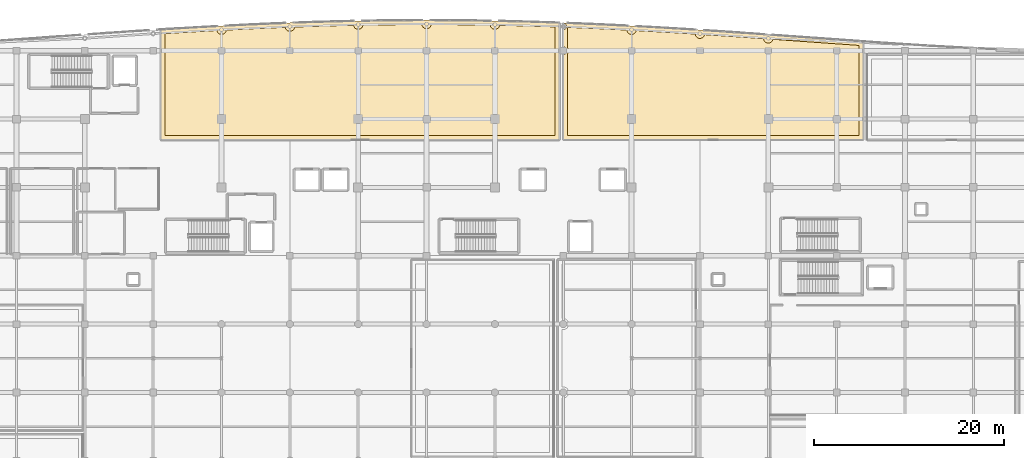
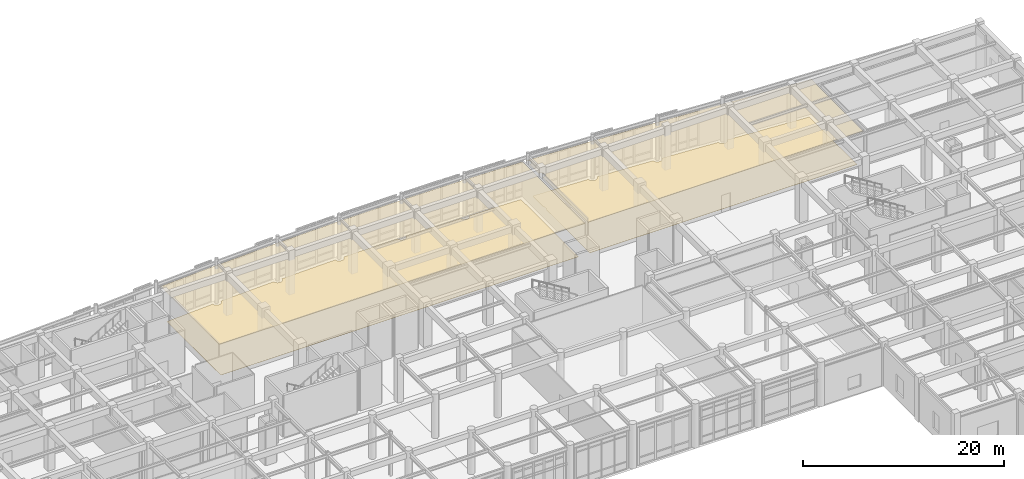
# One storey, part 98 of 102: 4 coverings.
"""IFC4 building model written with IfcOpenShell, lengths in metres."""

import ifcopenshell
import ifcopenshell.guid

model = None  # the IFC model being written
_history = None  # IfcOwnerHistory: only IFC2X3 demands one
_inside = {}  # id of a spatial element -> (the spatial element, [elements in it])
_under = {}  # id of a project, library or spatial element -> (it, [spatial elements below it])
_declared = {}  # id of a project -> (the project, [libraries it declares])
_typed = {}  # id of a type object -> (the type object, [elements of that type])
_made_of = {}  # id of a material, layer set ... -> (it, [elements and type objects made of it])


def new_model(schema):
    """Start an empty IFC model of exactly this schema.

    Asked for "IFC4X3", IfcOpenShell would pick the latest addendum, in which some entities
    have other attributes; the version numbers below select the first issue.
    IFC2X3 requires an IfcOwnerHistory on every rooted entity: one is made here for all.
    """
    global model, _history
    if schema == "IFC4X3":
        model = ifcopenshell.file(schema_version=(4, 3, 0, 0))
    else:
        model = ifcopenshell.file(schema=schema)
    _inside.clear()
    _under.clear()
    _declared.clear()
    _typed.clear()
    _made_of.clear()
    _history = None
    if model.schema == "IFC2X3":
        org = make("IfcOrganization", Name="unknown")
        user = make(
            "IfcPersonAndOrganization",
            ThePerson=make("IfcPerson", FamilyName="unknown"),
            TheOrganization=org,
        )
        app = make(
            "IfcApplication",
            ApplicationDeveloper=org,
            Version="unknown",
            ApplicationFullName="unknown",
            ApplicationIdentifier="unknown",
        )
        _history = make(
            "IfcOwnerHistory",
            OwningUser=user,
            OwningApplication=app,
            ChangeAction="ADDED",
            CreationDate=0,
        )
    return model


def make(cls, **values):
    """One entity of the class cls with the attributes given. An attribute that is None is left unset."""
    return model.create_entity(
        cls, **{name: value for name, value in values.items() if value is not None}
    )


def rooted(cls, **values):
    """An entity with a GlobalId (a new one), such as an element, a storey or a relation."""
    return make(cls, GlobalId=ifcopenshell.guid.new(), OwnerHistory=_history, **values)


def si_unit(unit_type, name, prefix=None):
    """IfcSIUnit, for example si_unit("LENGTHUNIT", "METRE", prefix="MILLI")."""
    return make("IfcSIUnit", UnitType=unit_type, Prefix=prefix, Name=name)


def assignment(units):
    """IfcUnitAssignment: the units of a project."""
    return None if units is None else make("IfcUnitAssignment", Units=units)


def point(xyz):
    """IfcCartesianPoint."""
    return None if xyz is None else make("IfcCartesianPoint", Coordinates=xyz)


def direction(xyz):
    """IfcDirection."""
    return None if xyz is None else make("IfcDirection", DirectionRatios=xyz)


def frame(location, z_axis=None, x_axis=None):
    """IfcAxis2Placement3D, a coordinate frame: its origin and axes. An axis left out is left unset."""
    return make(
        "IfcAxis2Placement3D",
        Location=point(location),
        Axis=direction(z_axis),
        RefDirection=direction(x_axis),
    )


def origin():
    """The frame at (0, 0, 0) with its axes left unset."""
    return frame((0.0, 0.0, 0.0))


def place(relative_to, where):
    """IfcLocalPlacement: puts the frame where relative to a parent placement (None: the world)."""
    return make(
        "IfcLocalPlacement", PlacementRelTo=relative_to, RelativePlacement=where
    )


def context(
    kind, dimensions, precision=None, world=None, true_north=None, identifier=None
):
    """IfcGeometricRepresentationContext, for example the 3D "Model" context."""
    return make(
        "IfcGeometricRepresentationContext",
        ContextIdentifier=identifier,
        ContextType=kind,
        CoordinateSpaceDimension=dimensions,
        Precision=precision,
        WorldCoordinateSystem=world,
        TrueNorth=true_north,
    )


def subcontext(parent, identifier, kind, view, scale=None):
    """IfcGeometricRepresentationSubContext, for example "Body" below "Model"."""
    return make(
        "IfcGeometricRepresentationSubContext",
        ContextIdentifier=identifier,
        ContextType=kind,
        ParentContext=parent,
        TargetScale=scale,
        TargetView=view,
    )


def project(units=None, contexts=None):
    """IfcProject with its units and contexts."""
    return rooted(
        "IfcProject",
        Name="project",
        RepresentationContexts=contexts,
        UnitsInContext=assignment(units),
    )


def spatial(cls, under=None, at=None, **own):
    """A site, building, storey or space (cls), placed at a placement, below another one or the project."""
    s = rooted(cls, ObjectPlacement=at, **own)
    if under is not None:
        _under.setdefault(under.id(), (under, []))[1].append(s)
    return s


def polyline(points):
    """IfcPolyline through the points."""
    return make("IfcPolyline", Points=[point(p) for p in points])


def outline(outer, holes=None, kind="AREA"):
    """IfcArbitraryClosedProfileDef: a profile drawn as a closed curve; with holes, ...WithVoids."""
    if holes is None:
        return make("IfcArbitraryClosedProfileDef", ProfileType=kind, OuterCurve=outer)
    return make(
        "IfcArbitraryProfileDefWithVoids",
        ProfileType=kind,
        OuterCurve=outer,
        InnerCurves=holes,
    )


def extrude(swept, where, along, depth):
    """IfcExtrudedAreaSolid: the profile swept, set in the frame where, extruded along a direction by depth."""
    return make(
        "IfcExtrudedAreaSolid",
        SweptArea=swept,
        Position=where,
        ExtrudedDirection=direction(along),
        Depth=depth,
    )


def shape(context_of_items, identifier, shape_type, items):
    """IfcShapeRepresentation: the items that make up one representation, for example the "Body"."""
    return make(
        "IfcShapeRepresentation",
        ContextOfItems=context_of_items,
        RepresentationIdentifier=identifier,
        RepresentationType=shape_type,
        Items=items,
    )


def material(Name=None, Category=None):
    """IfcMaterial."""
    return make("IfcMaterial", Name=Name, Category=Category)


def layer(
    of_material, thickness, ventilated=None, Name=None, Category=None, Priority=None
):
    """IfcMaterialLayer: one layer of a wall or slab, of a material (None: an air gap)."""
    return make(
        "IfcMaterialLayer",
        Material=of_material,
        LayerThickness=thickness,
        IsVentilated=ventilated,
        Name=Name,
        Category=Category,
        Priority=Priority,
    )


def layer_set(layers, Name=None):
    """IfcMaterialLayerSet."""
    return make("IfcMaterialLayerSet", MaterialLayers=layers, LayerSetName=Name)


def made_of(thing, what):
    """Note that an element or type object is made of a material, layer set ...; save() writes the relation."""
    if what is not None:
        _made_of.setdefault(what.id(), (what, []))[1].append(thing)
    return thing


def type_object(cls, material=None, **own):
    """A type object (cls), such as IfcWallType, which elements share."""
    return made_of(rooted(cls, **own), material)


def element(
    cls,
    number,
    at=None,
    inside=None,
    cuts=None,
    type_object=None,
    material=None,
    context=None,
    identifier="Body",
    shape_type=None,
    held_by="IfcProductDefinitionShape",
    body=None,
    shapes=None,
    **own,
):
    """One element of the class cls, such as IfcWall. Its Tag is "e" and its number.

    at: its placement. inside: the storey or other place that contains it. cuts: it is an
    opening in that element (IfcRelVoidsElement). A single representation is given by context,
    identifier, shape_type and body (its items); several are given by shapes. held_by: the class
    of the entity that holds the representations. save() writes the other relations.
    """
    e = rooted(cls, Tag="e%d" % number, ObjectPlacement=at, **own)
    if body is not None:
        shapes = [shape(context, identifier, shape_type, body)]
    if shapes is not None:
        e.Representation = make(held_by, Representations=shapes)
    if inside is not None:
        _inside.setdefault(inside.id(), (inside, []))[1].append(e)
    if cuts is not None:
        rooted(
            "IfcRelVoidsElement", RelatingBuildingElement=cuts, RelatedOpeningElement=e
        )
    if type_object is not None:
        _typed.setdefault(type_object.id(), (type_object, []))[1].append(e)
    return made_of(e, material)


def aggregate(whole, parts):
    """IfcRelAggregates: a whole, such as a stair, and the parts it consists of."""
    return rooted("IfcRelAggregates", RelatingObject=whole, RelatedObjects=parts)


def save(model, path):
    """Write the relations noted so far, then the file.

    IfcRelAggregates (storeys below a building ...), IfcRelContainedInSpatialStructure (elements
    in a storey), IfcRelDefinesByType, IfcRelAssociatesMaterial and IfcRelDeclares: one each for
    every whole, place, type object, material and project.
    """
    for whole, parts in _under.values():
        aggregate(whole, parts)
    for where, things in _inside.values():
        rooted(
            "IfcRelContainedInSpatialStructure",
            RelatedElements=things,
            RelatingStructure=where,
        )
    for kind, things in _typed.values():
        rooted("IfcRelDefinesByType", RelatedObjects=things, RelatingType=kind)
    for what, things in _made_of.values():
        rooted("IfcRelAssociatesMaterial", RelatedObjects=things, RelatingMaterial=what)
    for by, libraries in _declared.values():
        rooted("IfcRelDeclares", RelatingContext=by, RelatedDefinitions=libraries)
    model.write(path)


model = new_model("IFC4")

# Units and contexts
model_context = context("Model", 3, precision=1e-05, world=origin(), true_north=direction((0.0, 1.0)))
body_context = subcontext(model_context, "Body", "Model", "MODEL_VIEW")
ifc_project = project(units=[si_unit("LENGTHUNIT", "METRE"), si_unit("AREAUNIT", "SQUARE_METRE"), si_unit("VOLUMEUNIT", "CUBIC_METRE"), si_unit("PLANEANGLEUNIT", "RADIAN"), si_unit("MASSUNIT", "GRAM", prefix="KILO")], contexts=[model_context])

# Site, building, storey
site_placement = place(None, origin())
site = spatial("IfcSite", under=ifc_project, at=site_placement, CompositionType="ELEMENT")
building_placement = place(site_placement, origin())
building = spatial("IfcBuilding", under=site, at=building_placement, Name="Carrowvane Square Congress Hotel", CompositionType="ELEMENT")
storey_placement = place(building_placement, origin())
storey = spatial("IfcBuildingStorey", under=building, at=storey_placement, Name="L00", CompositionType="ELEMENT", Elevation=0.0)

# Coverings
ifc_material_1 = material(Name="Acoustic gypsum board", Category="gypsum")
ifc_layer_1 = layer(ifc_material_1, 0.014892578125)
ifc_layer_set_1 = layer_set([ifc_layer_1], Name="Acoustic gypsum board")
covering_type_1 = type_object("IfcCoveringType", Name="COV-CLG-AC15", PredefinedType="CEILING", material=ifc_layer_set_1)
covering_1_placement = place(storey_placement, frame((0.0, 0.0, 4.169921875)))
element("IfcCovering", 1, at=covering_1_placement, inside=storey, type_object=covering_type_1, Name="L00 Hotel Grand Entrance Lobby and Reception acoustic ceiling", PredefinedType="CEILING", context=body_context, shape_type="SweptSolid", body=[
    extrude(outline(polyline([(69.9921875, 103.9814453125), (69.990478515625, 103.982421875), (69.989013671875, 103.9833984375), (69.9873046875, 103.984619140625), (69.98583984375, 103.98583984375), (69.984619140625, 103.9873046875), (69.9833984375, 103.989013671875), (69.982421875, 103.990478515625), (69.9814453125, 103.9921875), (69.98095703125, 103.994140625), (69.98046875, 103.99609375), (69.97998046875, 103.998046875), (69.97998046875, 104.0), (69.97998046875, 115.624267578125), (69.97998046875, 115.626220703125), (69.98046875, 115.62841796875), (69.98095703125, 115.63037109375), (69.981689453125, 115.632080078125), (69.982421875, 115.634033203125), (69.9833984375, 115.6357421875), (69.98486328125, 115.63720703125), (69.986083984375, 115.638671875), (69.98779296875, 115.64013671875), (69.9892578125, 115.64111328125), (69.9912109375, 115.64208984375), (69.992919921875, 115.64306640625), (69.994873046875, 115.6435546875), (69.996826171875, 115.64404296875), (69.998779296875, 115.644287109375), (73.998779296875, 115.8857421875), (73.998779296875, 115.8857421875), (76.39892578125, 116.017578125), (76.39892578125, 116.017578125), (78.799072265625, 116.138427734375), (78.799072265625, 116.138427734375), (81.19921875, 116.24755859375), (81.19921875, 116.24755859375), (83.59912109375, 116.343994140625), (83.599365234375, 116.343994140625), (85.999267578125, 116.427001953125), (85.99951171875, 116.427001953125), (88.3994140625, 116.49560546875), (88.3994140625, 116.49560546875), (90.799560546875, 116.5498046875), (90.7998046875, 116.5498046875), (93.19970703125, 116.588623046875), (93.19970703125, 116.588623046875), (95.599853515625, 116.6123046875), (95.599853515625, 116.6123046875), (98.0, 116.6201171875), (98.0, 116.6201171875), (100.400146484375, 116.6123046875), (100.400146484375, 116.6123046875), (102.80029296875, 116.588623046875), (102.80029296875, 116.588623046875), (105.2001953125, 116.5498046875), (105.200439453125, 116.5498046875), (107.6005859375, 116.49560546875), (107.6005859375, 116.49560546875), (110.00048828125, 116.427001953125), (110.000732421875, 116.427001953125), (112.000732421875, 116.35791015625), (112.002685546875, 116.357666015625), (112.00439453125, 116.357421875), (112.00634765625, 116.356689453125), (112.008056640625, 116.356201171875), (112.009765625, 116.355224609375), (112.011474609375, 116.354248046875), (112.012939453125, 116.35302734375), (112.014404296875, 116.351806640625), (112.015625, 116.350341796875), (112.016845703125, 116.3486328125), (112.017578125, 116.34716796875), (112.0185546875, 116.34521484375), (112.019287109375, 116.343505859375), (112.01953125, 116.341796875), (112.02001953125, 116.33984375), (112.02001953125, 116.337890625), (112.02001953125, 113.52392578125), (112.01708984375, 113.51611328125), (112.0078125, 113.47802734375), (112.001953125, 113.439208984375), (112.0, 113.39990234375), (112.001953125, 113.36083984375), (112.0078125, 113.322021484375), (112.01708984375, 113.283935546875), (112.02001953125, 113.276123046875), (112.02001953125, 104.0), (112.02001953125, 103.998046875), (112.01953125, 103.99609375), (112.01904296875, 103.994140625), (112.0185546875, 103.9921875), (112.017578125, 103.990478515625), (112.0166015625, 103.989013671875), (112.015380859375, 103.9873046875), (112.01416015625, 103.98583984375), (112.0126953125, 103.984619140625), (112.010986328125, 103.9833984375), (112.009521484375, 103.982421875), (112.0078125, 103.9814453125), (112.005859375, 103.98095703125), (112.00390625, 103.98046875), (112.001953125, 103.97998046875), (112.0, 103.97998046875), (70.0, 103.97998046875), (69.998046875, 103.97998046875), (69.99609375, 103.98046875), (69.994140625, 103.98095703125), (69.9921875, 103.9814453125)])), origin(), (0.0, 0.0, 1.0), 0.01513671875),
])
ifc_material_2 = material(Name="Acoustic gypsum board", Category="gypsum")
ifc_layer_2 = layer(ifc_material_2, 0.02001953125)
ifc_layer_set_2 = layer_set([ifc_layer_2], Name="Acoustic gypsum board")
covering_type_2 = type_object("IfcCoveringType", Name="COV-CLG-AC20", PredefinedType="CEILING", material=ifc_layer_set_2)
covering_2_placement = place(storey_placement, frame((0.0, 0.0, 4.1650390625)))
element("IfcCovering", 2, at=covering_2_placement, inside=storey, type_object=covering_type_2, Name="L00 Carrowvane Brasserie Restaurant acoustic ceiling", PredefinedType="CEILING", context=body_context, shape_type="SweptSolid", body=[
    extrude(outline(polyline([(112.381591796875, 103.9921875), (112.380859375, 103.994140625), (112.38037109375, 103.99609375), (112.380126953125, 103.998046875), (112.3798828125, 104.0), (112.3798828125, 113.0009765625), (112.39990234375, 113.0), (112.439208984375, 113.001953125), (112.47802734375, 113.0078125), (112.51611328125, 113.01708984375), (112.552978515625, 113.030517578125), (112.588623046875, 113.047119140625), (112.622314453125, 113.0673828125), (112.65380859375, 113.0908203125), (112.682861328125, 113.1171875), (112.709228515625, 113.146240234375), (112.732666015625, 113.177734375), (112.752685546875, 113.21142578125), (112.76953125, 113.246826171875), (112.78271484375, 113.283935546875), (112.792236328125, 113.322021484375), (112.798095703125, 113.36083984375), (112.800048828125, 113.39990234375), (112.798095703125, 113.439208984375), (112.792236328125, 113.47802734375), (112.78271484375, 113.51611328125), (112.76953125, 113.552978515625), (112.752685546875, 113.588623046875), (112.732666015625, 113.622314453125), (112.709228515625, 113.65380859375), (112.682861328125, 113.682861328125), (112.65380859375, 113.709228515625), (112.622314453125, 113.732666015625), (112.588623046875, 113.752685546875), (112.552978515625, 113.76953125), (112.51611328125, 113.78271484375), (112.47802734375, 113.792236328125), (112.439208984375, 113.798095703125), (112.39990234375, 113.800048828125), (112.3798828125, 113.799072265625), (112.3798828125, 115.594970703125), (112.39990234375, 115.593994140625), (112.434326171875, 115.595703125), (112.46826171875, 115.6005859375), (112.501708984375, 115.609130859375), (112.533935546875, 115.62060546875), (112.56494140625, 115.63525390625), (112.594482421875, 115.653076171875), (112.6220703125, 115.67333984375), (112.6474609375, 115.696533203125), (112.670654296875, 115.721923828125), (112.69091796875, 115.74951171875), (112.708740234375, 115.779052734375), (112.723388671875, 115.81005859375), (112.73486328125, 115.84228515625), (112.743408203125, 115.875732421875), (112.748291015625, 115.90966796875), (112.75, 115.944091796875), (112.748291015625, 115.978271484375), (112.743408203125, 116.01220703125), (112.73486328125, 116.045654296875), (112.723388671875, 116.077880859375), (112.708740234375, 116.10888671875), (112.69091796875, 116.138427734375), (112.670654296875, 116.166015625), (112.6474609375, 116.19140625), (112.6220703125, 116.214599609375), (112.594482421875, 116.235107421875), (112.56494140625, 116.252685546875), (112.533935546875, 116.267333984375), (112.501708984375, 116.27880859375), (112.46826171875, 116.287353515625), (112.434326171875, 116.292236328125), (112.39990234375, 116.2939453125), (112.3798828125, 116.29296875), (112.3798828125, 116.323974609375), (112.380126953125, 116.325927734375), (112.38037109375, 116.327880859375), (112.380859375, 116.330078125), (112.381591796875, 116.331787109375), (112.382568359375, 116.333740234375), (112.383544921875, 116.33544921875), (112.384765625, 116.3369140625), (112.385986328125, 116.33837890625), (112.3876953125, 116.33984375), (112.389404296875, 116.3408203125), (112.39111328125, 116.341796875), (112.392822265625, 116.3427734375), (112.394775390625, 116.34326171875), (112.396728515625, 116.34375), (112.398681640625, 116.343994140625), (112.40087890625, 116.343994140625), (114.80078125, 116.24755859375), (114.80078125, 116.24755859375), (117.200927734375, 116.138427734375), (117.200927734375, 116.138427734375), (119.60107421875, 116.017578125), (119.60107421875, 116.017578125), (124.401123046875, 115.744384765625), (124.401123046875, 115.744384765625), (126.80126953125, 115.59423828125), (126.80126953125, 115.59423828125), (131.601318359375, 115.273681640625), (131.601318359375, 115.273681640625), (144.00146484375, 114.393798828125), (144.00341796875, 114.3935546875), (144.00537109375, 114.39306640625), (144.007080078125, 114.392333984375), (144.009033203125, 114.3916015625), (144.0107421875, 114.390625), (144.012451171875, 114.389404296875), (144.013916015625, 114.38818359375), (144.015380859375, 114.38671875), (144.0166015625, 114.385009765625), (144.017578125, 114.38330078125), (144.018310546875, 114.381591796875), (144.01904296875, 114.379638671875), (144.01953125, 114.377685546875), (144.02001953125, 114.375732421875), (144.02001953125, 114.373779296875), (144.02001953125, 104.0), (144.02001953125, 103.998046875), (144.01953125, 103.99609375), (144.01904296875, 103.994140625), (144.0185546875, 103.9921875), (144.017578125, 103.990478515625), (144.0166015625, 103.989013671875), (144.015380859375, 103.9873046875), (144.01416015625, 103.98583984375), (144.0126953125, 103.984619140625), (144.010986328125, 103.9833984375), (144.009521484375, 103.982421875), (144.0078125, 103.9814453125), (144.005859375, 103.98095703125), (144.00390625, 103.98046875), (144.001953125, 103.97998046875), (144.0, 103.97998046875), (112.39990234375, 103.97998046875), (112.39794921875, 103.97998046875), (112.39599609375, 103.98046875), (112.394287109375, 103.98095703125), (112.392333984375, 103.9814453125), (112.390625, 103.982421875), (112.388916015625, 103.9833984375), (112.38720703125, 103.984619140625), (112.385986328125, 103.98583984375), (112.384521484375, 103.9873046875), (112.38330078125, 103.989013671875), (112.38232421875, 103.990478515625), (112.381591796875, 103.9921875)])), origin(), (0.0, 0.0, 1.0), 0.02001953125),
])
ifc_material_3 = material(Name="European oak timber", Category="wood")
ifc_layer_3 = layer(ifc_material_3, 0.01806640625)
ifc_layer_set_3 = layer_set([ifc_layer_3], Name="European oak timber")
covering_type_3 = type_object("IfcCoveringType", Name="COV-FLR-OAK18", PredefinedType="FLOORING", material=ifc_layer_set_3)
covering_3_placement = place(storey_placement, origin())
element("IfcCovering", 3, at=covering_3_placement, inside=storey, type_object=covering_type_3, Name="L00 Hotel Grand Entrance Lobby and Reception floor finish", PredefinedType="FLOORING", context=body_context, shape_type="SweptSolid", body=[
    extrude(outline(polyline([(76.208740234375, 115.15576171875), (76.2548828125, 115.13916015625), (76.302490234375, 115.127197265625), (76.35107421875, 115.1201171875), (76.39990234375, 115.11767578125), (76.448974609375, 115.1201171875), (76.49755859375, 115.127197265625), (76.545166015625, 115.13916015625), (76.59130859375, 115.15576171875), (76.6357421875, 115.176513671875), (76.677734375, 115.201904296875), (76.71728515625, 115.231201171875), (76.753662109375, 115.263916015625), (76.78662109375, 115.30029296875), (76.815673828125, 115.33984375), (76.841064453125, 115.3818359375), (76.86181640625, 115.42626953125), (76.87841796875, 115.472412109375), (76.890380859375, 115.52001953125), (76.897705078125, 115.568603515625), (76.897705078125, 115.572021484375), (78.821533203125, 115.6689453125), (81.21923828125, 115.778076171875), (83.1083984375, 115.85400390625), (83.109619140625, 115.846435546875), (83.12158203125, 115.798828125), (83.13818359375, 115.752685546875), (83.158935546875, 115.708251953125), (83.184326171875, 115.666259765625), (83.21337890625, 115.626708984375), (83.246337890625, 115.59033203125), (83.28271484375, 115.5576171875), (83.322265625, 115.5283203125), (83.3642578125, 115.5029296875), (83.40869140625, 115.482177734375), (83.454833984375, 115.465576171875), (83.50244140625, 115.45361328125), (83.551025390625, 115.4462890625), (83.60009765625, 115.444091796875), (83.64892578125, 115.4462890625), (83.697509765625, 115.45361328125), (83.7451171875, 115.465576171875), (83.791259765625, 115.482177734375), (83.835693359375, 115.5029296875), (83.877685546875, 115.5283203125), (83.917236328125, 115.5576171875), (83.95361328125, 115.59033203125), (83.986572265625, 115.626708984375), (84.015625, 115.666259765625), (84.041015625, 115.708251953125), (84.06201171875, 115.752685546875), (84.07861328125, 115.798828125), (84.09033203125, 115.846435546875), (84.096923828125, 115.890869140625), (86.01416015625, 115.957275390625), (88.41162109375, 116.02587890625), (90.30712890625, 116.068603515625), (90.3095703125, 116.05224609375), (90.321533203125, 116.004638671875), (90.338134765625, 115.95849609375), (90.35888671875, 115.9140625), (90.38427734375, 115.8720703125), (90.41357421875, 115.83251953125), (90.4462890625, 115.796142578125), (90.48291015625, 115.76318359375), (90.522216796875, 115.734130859375), (90.564208984375, 115.708740234375), (90.608642578125, 115.68798828125), (90.65478515625, 115.67138671875), (90.702392578125, 115.659423828125), (90.7509765625, 115.652099609375), (90.800048828125, 115.64990234375), (90.84912109375, 115.652099609375), (90.8974609375, 115.659423828125), (90.945068359375, 115.67138671875), (90.9912109375, 115.68798828125), (91.03564453125, 115.708740234375), (91.077880859375, 115.734130859375), (91.1171875, 115.76318359375), (91.153564453125, 115.796142578125), (91.1865234375, 115.83251953125), (91.2158203125, 115.8720703125), (91.240966796875, 115.9140625), (91.261962890625, 115.95849609375), (91.278564453125, 116.004638671875), (91.290283203125, 116.05224609375), (91.295654296875, 116.087646484375), (93.205810546875, 116.11865234375), (95.602783203125, 116.14208984375), (97.505859375, 116.1484375), (97.509521484375, 116.12255859375), (97.521484375, 116.074951171875), (97.5380859375, 116.02880859375), (97.55908203125, 115.984375), (97.584228515625, 115.942138671875), (97.613525390625, 115.90283203125), (97.646484375, 115.866455078125), (97.682861328125, 115.83349609375), (97.72216796875, 115.80419921875), (97.764404296875, 115.779052734375), (97.80859375, 115.758056640625), (97.85498046875, 115.741455078125), (97.902587890625, 115.7294921875), (97.950927734375, 115.722412109375), (98.0, 115.719970703125), (98.049072265625, 115.722412109375), (98.097412109375, 115.7294921875), (98.14501953125, 115.741455078125), (98.19140625, 115.758056640625), (98.235595703125, 115.779052734375), (98.27783203125, 115.80419921875), (98.317138671875, 115.83349609375), (98.353515625, 115.866455078125), (98.386474609375, 115.90283203125), (98.415771484375, 115.942138671875), (98.44091796875, 115.984375), (98.4619140625, 116.02880859375), (98.478515625, 116.074951171875), (98.490478515625, 116.12255859375), (98.494140625, 116.1484375), (100.397216796875, 116.14208984375), (102.794189453125, 116.11865234375), (104.704345703125, 116.087646484375), (104.709716796875, 116.05224609375), (104.721435546875, 116.004638671875), (104.738037109375, 115.95849609375), (104.759033203125, 115.9140625), (104.7841796875, 115.8720703125), (104.8134765625, 115.83251953125), (104.846435546875, 115.796142578125), (104.8828125, 115.76318359375), (104.922119140625, 115.734130859375), (104.96435546875, 115.708740234375), (105.0087890625, 115.68798828125), (105.054931640625, 115.67138671875), (105.1025390625, 115.659423828125), (105.15087890625, 115.652099609375), (105.199951171875, 115.64990234375), (105.2490234375, 115.652099609375), (105.297607421875, 115.659423828125), (105.34521484375, 115.67138671875), (105.391357421875, 115.68798828125), (105.435791015625, 115.708740234375), (105.477783203125, 115.734130859375), (105.51708984375, 115.76318359375), (105.5537109375, 115.796142578125), (105.58642578125, 115.83251953125), (105.61572265625, 115.8720703125), (105.64111328125, 115.9140625), (105.661865234375, 115.95849609375), (105.678466796875, 116.004638671875), (105.6904296875, 116.05224609375), (105.69287109375, 116.068603515625), (107.58837890625, 116.02587890625), (109.98583984375, 115.957275390625), (111.550048828125, 115.903076171875), (111.550048828125, 104.449951171875), (70.449951171875, 104.449951171875), (70.449951171875, 115.20068359375), (74.02587890625, 115.41650390625), (75.90966796875, 115.52001953125), (75.92138671875, 115.472412109375), (75.93798828125, 115.42626953125), (75.958984375, 115.3818359375), (75.984375, 115.33984375), (76.013427734375, 115.30029296875), (76.04638671875, 115.263916015625), (76.082763671875, 115.231201171875), (76.122314453125, 115.201904296875), (76.164306640625, 115.176513671875), (76.208740234375, 115.15576171875)])), origin(), (0.0, 0.0, 1.0), 0.01806640625),
])
ifc_material_4 = material(Name="Ceramic porcelain tile", Category="stone")
ifc_layer_4 = layer(ifc_material_4, 0.02197265625)
ifc_layer_set_4 = layer_set([ifc_layer_4], Name="Ceramic porcelain tile")
covering_type_4 = type_object("IfcCoveringType", Name="COV-FLR-TRZ22", PredefinedType="FLOORING", material=ifc_layer_set_4)
covering_4_placement = place(storey_placement, origin())
element("IfcCovering", 4, at=covering_4_placement, inside=storey, type_object=covering_type_4, Name="L00 Carrowvane Brasserie Restaurant floor finish", PredefinedType="FLOORING", context=body_context, shape_type="SweptSolid", body=[
    extrude(outline(polyline([(119.102294921875, 115.572021484375), (119.102294921875, 115.568603515625), (119.109619140625, 115.52001953125), (119.12158203125, 115.472412109375), (119.13818359375, 115.42626953125), (119.158935546875, 115.3818359375), (119.184326171875, 115.33984375), (119.21337890625, 115.30029296875), (119.246337890625, 115.263916015625), (119.28271484375, 115.231201171875), (119.322265625, 115.201904296875), (119.3642578125, 115.176513671875), (119.40869140625, 115.15576171875), (119.454833984375, 115.13916015625), (119.50244140625, 115.127197265625), (119.551025390625, 115.1201171875), (119.60009765625, 115.11767578125), (119.64892578125, 115.1201171875), (119.697509765625, 115.127197265625), (119.7451171875, 115.13916015625), (119.791259765625, 115.15576171875), (119.835693359375, 115.176513671875), (119.877685546875, 115.201904296875), (119.917236328125, 115.231201171875), (119.95361328125, 115.263916015625), (119.986572265625, 115.30029296875), (120.015625, 115.33984375), (120.041015625, 115.3818359375), (120.06201171875, 115.42626953125), (120.07861328125, 115.472412109375), (120.090087890625, 115.51904296875), (124.373291015625, 115.275146484375), (126.302001953125, 115.154541015625), (126.302490234375, 115.145263671875), (126.3095703125, 115.0966796875), (126.321533203125, 115.04931640625), (126.338134765625, 115.0029296875), (126.35888671875, 114.95849609375), (126.38427734375, 114.91650390625), (126.41357421875, 114.877197265625), (126.4462890625, 114.8408203125), (126.48291015625, 114.807861328125), (126.522216796875, 114.778564453125), (126.564208984375, 114.75341796875), (126.608642578125, 114.732421875), (126.65478515625, 114.7158203125), (126.702392578125, 114.703857421875), (126.7509765625, 114.69677734375), (126.800048828125, 114.6943359375), (126.84912109375, 114.69677734375), (126.8974609375, 114.703857421875), (126.945068359375, 114.7158203125), (126.9912109375, 114.732421875), (127.03564453125, 114.75341796875), (127.077880859375, 114.778564453125), (127.1171875, 114.807861328125), (127.153564453125, 114.8408203125), (127.1865234375, 114.877197265625), (127.2158203125, 114.91650390625), (127.240966796875, 114.95849609375), (127.261962890625, 115.0029296875), (127.278564453125, 115.04931640625), (127.288818359375, 115.090576171875), (131.569091796875, 114.8046875), (133.501953125, 114.66748046875), (133.50244140625, 114.656982421875), (133.509521484375, 114.6083984375), (133.521484375, 114.560791015625), (133.5380859375, 114.5146484375), (133.55908203125, 114.47021484375), (133.584228515625, 114.42822265625), (133.613525390625, 114.388916015625), (133.646484375, 114.352294921875), (133.682861328125, 114.319580078125), (133.72216796875, 114.290283203125), (133.764404296875, 114.264892578125), (133.80859375, 114.244140625), (133.85498046875, 114.2275390625), (133.902587890625, 114.215576171875), (133.950927734375, 114.20849609375), (134.0, 114.2060546875), (134.049072265625, 114.20849609375), (134.097412109375, 114.215576171875), (134.14501953125, 114.2275390625), (134.19140625, 114.244140625), (134.235595703125, 114.264892578125), (134.27783203125, 114.290283203125), (134.317138671875, 114.319580078125), (134.353515625, 114.352294921875), (134.386474609375, 114.388916015625), (134.415771484375, 114.42822265625), (134.44091796875, 114.47021484375), (134.4619140625, 114.5146484375), (134.478515625, 114.560791015625), (134.48779296875, 114.59765625), (143.550048828125, 113.95458984375), (143.550048828125, 104.449951171875), (112.85009765625, 104.449951171875), (112.85009765625, 113.084716796875), (112.857421875, 113.094482421875), (112.885009765625, 113.140625), (112.908203125, 113.189453125), (112.92626953125, 113.240234375), (112.939453125, 113.292724609375), (112.947509765625, 113.34619140625), (112.949951171875, 113.39990234375), (112.947509765625, 113.453857421875), (112.939453125, 113.50732421875), (112.92626953125, 113.559814453125), (112.908203125, 113.610595703125), (112.885009765625, 113.6591796875), (112.857421875, 113.70556640625), (112.85009765625, 113.71533203125), (112.85009765625, 115.727294921875), (112.86181640625, 115.752685546875), (112.87841796875, 115.798828125), (112.890380859375, 115.846435546875), (112.8916015625, 115.85400390625), (114.78076171875, 115.778076171875), (117.178466796875, 115.6689453125), (119.102294921875, 115.572021484375)])), origin(), (0.0, 0.0, 1.0), 0.02197265625),
])

save(model, "model.ifc")
